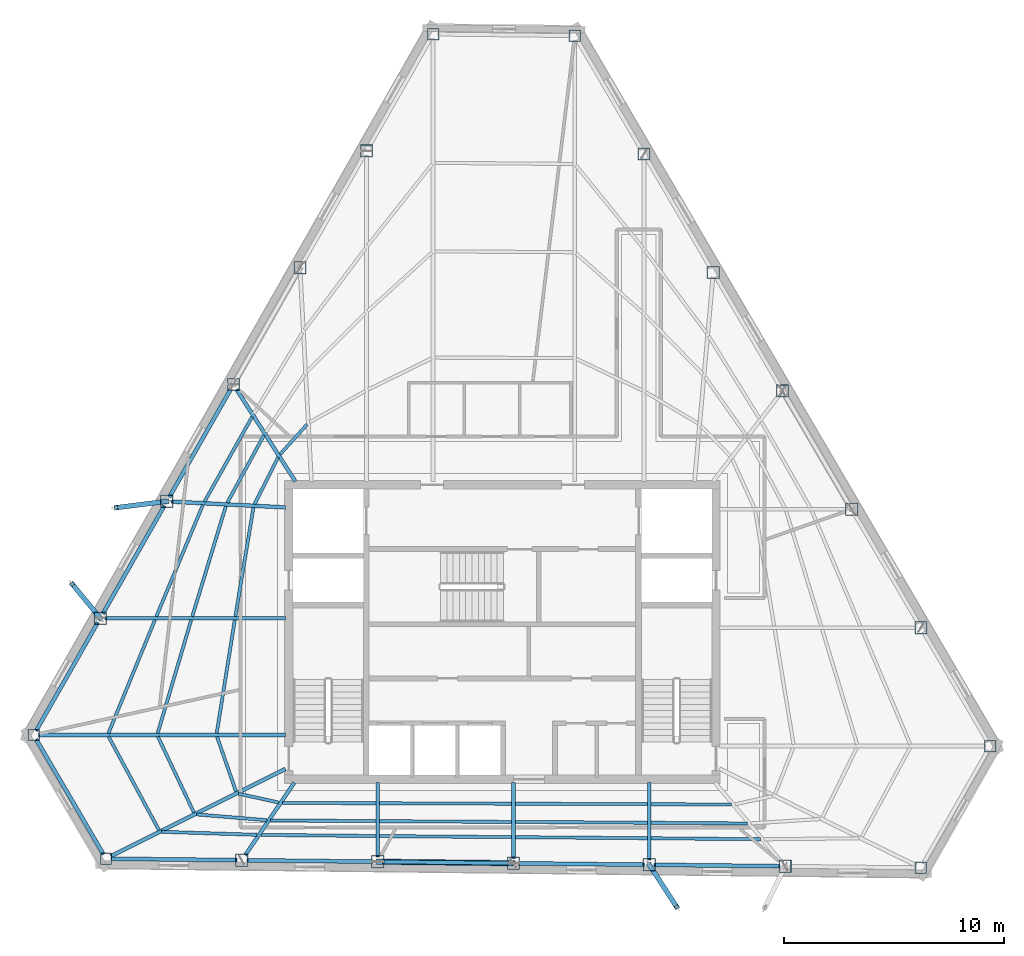
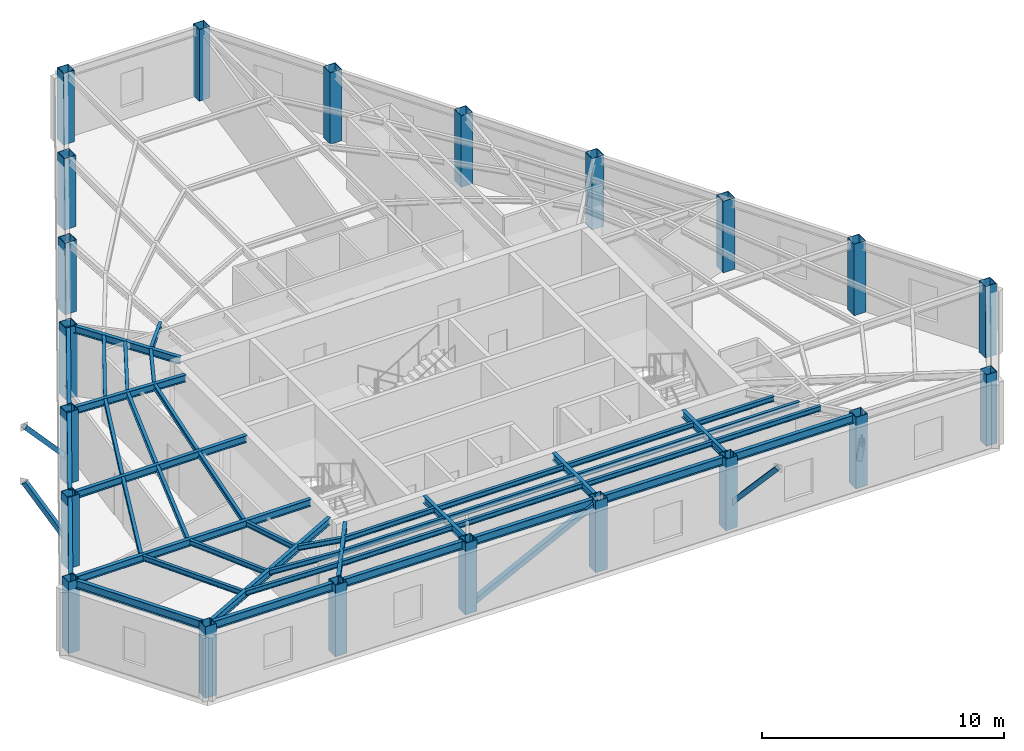
# One storey, part 1 of 11: 46 beams, 21 columns, 4 members.
"""IFC4 building model written with IfcOpenShell, lengths in metres."""

from ifc_helpers import new_model, si_unit, direction, frame, origin, origin_2d, place, context, subcontext, project, spatial, hollow_rectangle, i_section, extrude, material, material_profile, profile_set, type_object, element, save


model = new_model("IFC4")

# Units and contexts
model_context = context("Model", 3, precision=1e-05, world=origin(), true_north=direction((0.0, 1.0)))
body_context = subcontext(model_context, "Body", "Model", "MODEL_VIEW")
ifc_project = project(units=[si_unit("LENGTHUNIT", "METRE"), si_unit("AREAUNIT", "SQUARE_METRE"), si_unit("VOLUMEUNIT", "CUBIC_METRE"), si_unit("PLANEANGLEUNIT", "RADIAN"), si_unit("MASSUNIT", "GRAM", prefix="KILO")], contexts=[model_context])

# Site, building, storey
site_placement = place(None, origin())
site = spatial("IfcSite", under=ifc_project, at=site_placement, CompositionType="ELEMENT")
building_placement = place(site_placement, origin())
building = spatial("IfcBuilding", under=site, at=building_placement, Name="Kavelnor Concourse Tower", CompositionType="ELEMENT")
storey_placement = place(building_placement, frame((0.0, 0.0, 258.75)))
storey = spatial("IfcBuildingStorey", under=building, at=storey_placement, Name="L65", CompositionType="ELEMENT", Elevation=258.75)

# Columns
ifc_material = material(Name="Steel Grade 350", Category="steel")
ifc_material_profile_1 = material_profile(ifc_material, hollow_rectangle(XDim=0.52001953125, YDim=0.52001953125, WallThickness=0.02392578125, at=origin_2d()), Name="SHS 520x520x24")
ifc_profile_set_1 = profile_set([ifc_material_profile_1], Name="Steel Grade 350")
column_type_1 = type_object("IfcColumnType", Name="COL-FOLD-Z4", PredefinedType="COLUMN", material=ifc_profile_set_1)
for number, where, z_axis, x_axis, name in (
    (1, (34.846923828125, 43.2880859375, 0.0), (0.0, 0.0, 1.0), (1.0, 0.0, 0.0), "L65 Perimeter Corner-Fold Column F0-B0"),
    (2, (16.684814453125, 11.416259765625, 0.0), (0.0, 0.0, 1.0), (1.0, 0.0, 0.0), "L65 Perimeter Corner-Fold Column F0-B6"),
    (3, (19.973876953125, 5.791748046875, 0.0), (0.0, 0.0, 1.0), (1.0, 0.0, 0.0), "L65 Perimeter Corner-Fold Column F1-B0"),
    (4, (57.026611328125, 5.376953125, 0.0), (0.0, 0.0, 1.0), (1.0, 0.0, 0.0), "L65 Perimeter Corner-Fold Column F1-B6"),
    (5, (60.179931640625, 10.91064453125, 0.0), (0.0, 0.0, 1.0), (1.0, 0.0, 0.0), "L65 Perimeter Corner-Fold Column F2-B0"),
    (6, (41.288818359375, 43.216064453125, 0.0), (0.0, 0.0, 1.0), (1.0, 0.0, 0.0), "L65 Perimeter Corner-Fold Column F2-B6"),
):
    element("IfcColumn", number, at=place(storey_placement, frame(where, z_axis=z_axis, x_axis=x_axis)), inside=storey, type_object=column_type_1, Name=name, PredefinedType="COLUMN", context=body_context, shape_type="SweptSolid", body=[
        extrude(hollow_rectangle(XDim=0.52001953125, YDim=0.52001953125, WallThickness=0.02392578125, at=origin_2d()), origin(), (0.0, 0.0, 1.0), 3.610107421875),
    ])
ifc_material_profile_2 = material_profile(ifc_material, hollow_rectangle(XDim=0.56005859375, YDim=0.56005859375, WallThickness=0.02490234375, at=origin_2d()), Name="SHS 560x560x25")
ifc_profile_set_2 = profile_set([ifc_material_profile_2], Name="Steel Grade 350")
column_type_2 = type_object("IfcColumnType", Name="COL-TUBE-Z4", PredefinedType="COLUMN", material=ifc_profile_set_2)
for number, where, z_axis, x_axis, name in (
    (7, (31.81982421875, 37.976318359375, 0.0), (0.0, 0.0, 1.0), (1.0, 0.0, 0.0), "L65 Perimeter Framed-Tube Column F0-B1"),
    (8, (28.79296875, 32.664306640625, 0.0), (0.0, 0.0, 1.0), (1.0, 0.0, 0.0), "L65 Perimeter Framed-Tube Column F0-B2"),
    (9, (25.765869140625, 27.352294921875, 0.0), (0.0, 0.0, 1.0), (1.0, 0.0, 0.0), "L65 Perimeter Framed-Tube Column F0-B3"),
    (10, (22.739013671875, 22.040283203125, 0.0), (0.0, 0.0, 1.0), (1.0, 0.0, 0.0), "L65 Perimeter Framed-Tube Column F0-B4"),
    (11, (19.7119140625, 16.728271484375, 0.0), (0.0, 0.0, 1.0), (1.0, 0.0, 0.0), "L65 Perimeter Framed-Tube Column F0-B5"),
    (12, (26.1494140625, 5.72265625, 0.0), (0.0, 0.0, 1.0), (1.0, 0.0, 0.0), "L65 Perimeter Framed-Tube Column F1-B1"),
    (13, (32.32470703125, 5.653564453125, 0.0), (0.0, 0.0, 1.0), (1.0, 0.0, 0.0), "L65 Perimeter Framed-Tube Column F1-B2"),
    (14, (38.500244140625, 5.58447265625, 0.0), (0.0, 0.0, 1.0), (1.0, 0.0, 0.0), "L65 Perimeter Framed-Tube Column F1-B3"),
    (15, (44.67578125, 5.515380859375, 0.0), (0.0, 0.0, 1.0), (1.0, 0.0, 0.0), "L65 Perimeter Framed-Tube Column F1-B4"),
    (16, (50.851318359375, 5.446044921875, 0.0), (0.0, 0.0, 1.0), (1.0, 0.0, 0.0), "L65 Perimeter Framed-Tube Column F1-B5"),
    (17, (57.031494140625, 16.294921875, 0.0), (0.0, 0.0, 1.0), (1.0, 0.0, 0.0), "L65 Perimeter Framed-Tube Column F2-B1"),
    (18, (53.8828125, 21.67919921875, 0.0), (0.0, 0.0, 1.0), (1.0, 0.0, 0.0), "L65 Perimeter Framed-Tube Column F2-B2"),
    (19, (50.734375, 27.063232421875, 0.0), (0.0, 0.0, 1.0), (1.0, 0.0, 0.0), "L65 Perimeter Framed-Tube Column F2-B3"),
    (20, (47.5859375, 32.447509765625, 0.0), (0.0, 0.0, 1.0), (1.0, 0.0, 0.0), "L65 Perimeter Framed-Tube Column F2-B4"),
    (21, (44.437255859375, 37.831787109375, 0.0), (0.0, 0.0, 1.0), (1.0, 0.0, 0.0), "L65 Perimeter Framed-Tube Column F2-B5"),
):
    element("IfcColumn", number, at=place(storey_placement, frame(where, z_axis=z_axis, x_axis=x_axis)), inside=storey, type_object=column_type_2, Name=name, PredefinedType="COLUMN", context=body_context, shape_type="SweptSolid", body=[
        extrude(hollow_rectangle(XDim=0.56005859375, YDim=0.56005859375, WallThickness=0.02490234375, at=origin_2d()), origin(), (0.0, 0.0, 1.0), 3.610107421875),
    ])

# Beams
ifc_material_profile_3 = material_profile(ifc_material, i_section(OverallWidth=0.14599609375, OverallDepth=0.256103515625, WebThickness=0.00634765625, FlangeThickness=0.010986328125, at=origin_2d()), Name="250UB37")
ifc_profile_set_3 = profile_set([ifc_material_profile_3], Name="Steel Grade 350")
beam_type_1 = type_object("IfcBeamType", Name="BM-JOIST-250", PredefinedType="JOIST", material=ifc_profile_set_3)
beam_1_placement = place(storey_placement, frame((25.02099609375, 11.338623046875, 3.48193359375), z_axis=(0.327570712043, -0.944826665908, 0.0), x_axis=(0.944826665908, 0.327570712043, 0.0)))
element("IfcBeam", 22, at=beam_1_placement, inside=storey, type_object=beam_type_1, Name="L65 Secondary Composite Joist 01-1", PredefinedType="JOIST", context=body_context, shape_type="SweptSolid", body=[
    extrude(i_section(OverallWidth=0.14599609375, OverallDepth=0.256103515625, WebThickness=0.00634765625, FlangeThickness=0.010986328125, at=origin_2d()), origin(), (0.0, 0.0, 1.0), 2.64208984375),
])
beam_2_placement = place(storey_placement, frame((22.3330078125, 11.342041015625, 3.48193359375), z_axis=(0.428612922517, -0.903488219431, 0.0), x_axis=(0.903488219431, 0.428612922517, 0.0)))
element("IfcBeam", 23, at=beam_2_placement, inside=storey, type_object=beam_type_1, Name="L65 Secondary Composite Joist 01-2", PredefinedType="JOIST", context=body_context, shape_type="SweptSolid", body=[
    extrude(i_section(OverallWidth=0.14599609375, OverallDepth=0.256103515625, WebThickness=0.00634765625, FlangeThickness=0.010986328125, at=origin_2d()), origin(), (0.0, 0.0, 1.0), 3.825927734375),
])
beam_3_placement = place(storey_placement, frame((20.089599609375, 11.343994140625, 3.48193359375), z_axis=(0.474241384819, -0.880394859665, 0.0), x_axis=(0.880394859665, 0.474241384819, 0.0)))
element("IfcBeam", 24, at=beam_3_placement, inside=storey, type_object=beam_type_1, Name="L65 Secondary Composite Joist 01-3", PredefinedType="JOIST", context=body_context, shape_type="SweptSolid", body=[
    extrude(i_section(OverallWidth=0.14599609375, OverallDepth=0.256103515625, WebThickness=0.00634765625, FlangeThickness=0.010986328125, at=origin_2d()), origin(), (0.0, 0.0, 1.0), 4.83349609375),
])
beam_4_placement = place(storey_placement, frame((25.993408203125, 8.747314453125, 3.48193359375), z_axis=(0.976947404223, -0.213480138144, 0.0), x_axis=(0.213480138144, 0.976947404223, 0.0)))
element("IfcBeam", 25, at=beam_4_placement, inside=storey, type_object=beam_type_1, Name="L65 Secondary Composite Joist 02-1", PredefinedType="JOIST", context=body_context, shape_type="SweptSolid", body=[
    extrude(i_section(OverallWidth=0.14599609375, OverallDepth=0.256103515625, WebThickness=0.00634765625, FlangeThickness=0.010986328125, at=origin_2d()), origin(), (0.0, 0.0, 1.0), 1.88134765625),
])
beam_5_placement = place(storey_placement, frame((24.08984375, 7.804443359375, 3.48193359375), z_axis=(0.996661068571, -0.081649950367, 0.0), x_axis=(0.081649950367, 0.996661068571, 0.0)))
element("IfcBeam", 26, at=beam_5_placement, inside=storey, type_object=beam_type_1, Name="L65 Secondary Composite Joist 02-2", PredefinedType="JOIST", context=body_context, shape_type="SweptSolid", body=[
    extrude(i_section(OverallWidth=0.14599609375, OverallDepth=0.256103515625, WebThickness=0.00634765625, FlangeThickness=0.010986328125, at=origin_2d()), origin(), (0.0, 0.0, 1.0), 3.21435546875),
])
beam_6_placement = place(storey_placement, frame((22.502685546875, 7.013916015625, 3.48193359375), z_axis=(0.999505035576, -0.031459241228, 0.0), x_axis=(0.031459241228, 0.999505035576, 0.0)))
element("IfcBeam", 27, at=beam_6_placement, inside=storey, type_object=beam_type_1, Name="L65 Secondary Composite Joist 02-3", PredefinedType="JOIST", context=body_context, shape_type="SweptSolid", body=[
    extrude(i_section(OverallWidth=0.14599609375, OverallDepth=0.256103515625, WebThickness=0.00634765625, FlangeThickness=0.010986328125, at=origin_2d()), origin(), (0.0, 0.0, 1.0), 4.345947265625),
])
beam_7_placement = place(storey_placement, frame((27.993408203125, 8.327880859375, 3.48193359375), z_axis=(0.999993027409, -0.003734318441, 0.0), x_axis=(0.003734318441, 0.999993027409, 0.0)))
element("IfcBeam", 28, at=beam_7_placement, inside=storey, type_object=beam_type_1, Name="L65 Secondary Composite Joist 03-1", PredefinedType="JOIST", context=body_context, shape_type="SweptSolid", body=[
    extrude(i_section(OverallWidth=0.14599609375, OverallDepth=0.256103515625, WebThickness=0.00634765625, FlangeThickness=0.010986328125, at=origin_2d()), origin(), (0.0, 0.0, 1.0), 4.24951171875),
])
beam_8_placement = place(storey_placement, frame((27.45703125, 7.53466796875, 3.48193359375), z_axis=(0.999973020597, -0.00734561623, 0.0), x_axis=(0.00734561623, 0.999973020597, 0.0)))
element("IfcBeam", 29, at=beam_8_placement, inside=storey, type_object=beam_type_1, Name="L65 Secondary Composite Joist 03-2", PredefinedType="JOIST", context=body_context, shape_type="SweptSolid", body=[
    extrude(i_section(OverallWidth=0.14599609375, OverallDepth=0.256103515625, WebThickness=0.00634765625, FlangeThickness=0.010986328125, at=origin_2d()), origin(), (0.0, 0.0, 1.0), 4.7861328125),
])
beam_9_placement = place(storey_placement, frame((27.01025390625, 6.873779296875, 3.48193359375), z_axis=(0.999952003298, -0.009797504815, 0.0), x_axis=(0.009797504815, 0.999952003298, 0.0)))
element("IfcBeam", 30, at=beam_9_placement, inside=storey, type_object=beam_type_1, Name="L65 Secondary Composite Joist 03-3", PredefinedType="JOIST", context=body_context, shape_type="SweptSolid", body=[
    extrude(i_section(OverallWidth=0.14599609375, OverallDepth=0.256103515625, WebThickness=0.00634765625, FlangeThickness=0.010986328125, at=origin_2d()), origin(), (0.0, 0.0, 1.0), 5.23291015625),
])
for number, where, z_axis, x_axis, name in (
    (31, (32.40673828125, 8.3115234375, 3.48193359375), (0.999995110479, -0.003127142245, 0.0), (0.003127142245, 0.999995110479, 0.0), "L65 Secondary Composite Joist 04-1"),
    (32, (32.40673828125, 7.49853515625, 3.48193359375), (0.999983136444, -0.005807480344, 0.0), (0.005807480344, 0.999983136444, 0.0), "L65 Secondary Composite Joist 04-2"),
):
    element("IfcBeam", number, at=place(storey_placement, frame(where, z_axis=z_axis, x_axis=x_axis)), inside=storey, type_object=beam_type_1, Name=name, PredefinedType="JOIST", context=body_context, shape_type="SweptSolid", body=[
        extrude(i_section(OverallWidth=0.14599609375, OverallDepth=0.256103515625, WebThickness=0.00634765625, FlangeThickness=0.010986328125, at=origin_2d()), origin(), (0.0, 0.0, 1.0), 6.011474609375),
    ])
beam_10_placement = place(storey_placement, frame((32.40673828125, 6.821044921875, 3.48193359375), z_axis=(0.999967670619, -0.008041002265, 0.0), x_axis=(0.008041002265, 0.999967670619, 0.0)))
element("IfcBeam", 33, at=beam_10_placement, inside=storey, type_object=beam_type_1, Name="L65 Secondary Composite Joist 04-3", PredefinedType="JOIST", context=body_context, shape_type="SweptSolid", body=[
    extrude(i_section(OverallWidth=0.14599609375, OverallDepth=0.256103515625, WebThickness=0.00634765625, FlangeThickness=0.010986328125, at=origin_2d()), origin(), (0.0, 0.0, 1.0), 6.01171875),
])
for number, where, z_axis, x_axis, name in (
    (34, (38.582275390625, 8.292236328125, 3.48193359375), (0.999994982654, -0.003167754077, 0.0), (0.003167754077, 0.999994982654, 0.0), "L65 Secondary Composite Joist 05-1"),
    (35, (38.582275390625, 7.462646484375, 3.48193359375), (0.999982899771, -0.005848090711, 0.0), (0.005848090711, 0.999982899771, 0.0), "L65 Secondary Composite Joist 05-2"),
):
    element("IfcBeam", number, at=place(storey_placement, frame(where, z_axis=z_axis, x_axis=x_axis)), inside=storey, type_object=beam_type_1, Name=name, PredefinedType="JOIST", context=body_context, shape_type="SweptSolid", body=[
        extrude(i_section(OverallWidth=0.14599609375, OverallDepth=0.256103515625, WebThickness=0.00634765625, FlangeThickness=0.010986328125, at=origin_2d()), origin(), (0.0, 0.0, 1.0), 6.011474609375),
    ])
beam_11_placement = place(storey_placement, frame((38.582275390625, 6.771240234375, 3.48193359375), z_axis=(0.999967670619, -0.008041002265, 0.0), x_axis=(0.008041002265, 0.999967670619, 0.0)))
element("IfcBeam", 36, at=beam_11_placement, inside=storey, type_object=beam_type_1, Name="L65 Secondary Composite Joist 05-3", PredefinedType="JOIST", context=body_context, shape_type="SweptSolid", body=[
    extrude(i_section(OverallWidth=0.14599609375, OverallDepth=0.256103515625, WebThickness=0.00634765625, FlangeThickness=0.010986328125, at=origin_2d()), origin(), (0.0, 0.0, 1.0), 6.01171875),
])
beam_12_placement = place(storey_placement, frame((44.7578125, 8.272705078125, 3.48193359375), z_axis=(0.999980803596, -0.006196163284, 0.0), x_axis=(0.006196163284, 0.999980803596, 0.0)))
element("IfcBeam", 37, at=beam_12_placement, inside=storey, type_object=beam_type_1, Name="L65 Secondary Composite Joist 06-1", PredefinedType="JOIST", context=body_context, shape_type="SweptSolid", body=[
    extrude(i_section(OverallWidth=0.14599609375, OverallDepth=0.256103515625, WebThickness=0.00634765625, FlangeThickness=0.010986328125, at=origin_2d()), origin(), (0.0, 0.0, 1.0), 3.664306640625),
])
beam_13_placement = place(storey_placement, frame((44.7578125, 7.426513671875, 3.48193359375), z_axis=(0.999969153149, -0.007854473321, 0.0), x_axis=(0.007854473321, 0.999969153149, 0.0)))
element("IfcBeam", 38, at=beam_13_placement, inside=storey, type_object=beam_type_1, Name="L65 Secondary Composite Joist 06-2", PredefinedType="JOIST", context=body_context, shape_type="SweptSolid", body=[
    extrude(i_section(OverallWidth=0.14599609375, OverallDepth=0.256103515625, WebThickness=0.00634765625, FlangeThickness=0.010986328125, at=origin_2d()), origin(), (0.0, 0.0, 1.0), 4.3828125),
])
beam_14_placement = place(storey_placement, frame((44.7578125, 6.721435546875, 3.48193359375), z_axis=(0.999960652834, -0.008870895367, 0.0), x_axis=(0.008870895367, 0.999960652834, 0.0)))
element("IfcBeam", 39, at=beam_14_placement, inside=storey, type_object=beam_type_1, Name="L65 Secondary Composite Joist 06-3", PredefinedType="JOIST", context=body_context, shape_type="SweptSolid", body=[
    extrude(i_section(OverallWidth=0.14599609375, OverallDepth=0.256103515625, WebThickness=0.00634765625, FlangeThickness=0.010986328125, at=origin_2d()), origin(), (0.0, 0.0, 1.0), 4.9814453125),
])
beam_15_placement = place(storey_placement, frame((29.1162109375, 25.540283203125, 3.48193359375), z_axis=(-0.668979444943, -0.743280903995, 0.0), x_axis=(0.743280903995, -0.668979444943, 0.0)))
element("IfcBeam", 40, at=beam_15_placement, inside=storey, type_object=beam_type_1, Name="L65 Secondary Composite Joist 18-1", PredefinedType="JOIST", context=body_context, shape_type="SweptSolid", body=[
    extrude(i_section(OverallWidth=0.14599609375, OverallDepth=0.256103515625, WebThickness=0.00634765625, FlangeThickness=0.010986328125, at=origin_2d()), origin(), (0.0, 0.0, 1.0), 1.83349609375),
])
beam_16_placement = place(storey_placement, frame((27.798095703125, 24.043212890625, 3.48193359375), z_axis=(-0.449217633521, -0.893422362455, 0.0), x_axis=(0.893422362455, -0.449217633521, 0.0)))
element("IfcBeam", 41, at=beam_16_placement, inside=storey, type_object=beam_type_1, Name="L65 Secondary Composite Joist 19-1", PredefinedType="JOIST", context=body_context, shape_type="SweptSolid", body=[
    extrude(i_section(OverallWidth=0.14599609375, OverallDepth=0.256103515625, WebThickness=0.00634765625, FlangeThickness=0.010986328125, at=origin_2d()), origin(), (0.0, 0.0, 1.0), 2.386474609375),
])
beam_17_placement = place(storey_placement, frame((27.154296875, 25.047607421875, 3.48193359375), z_axis=(-0.477193516821, -0.878798240499, 0.0), x_axis=(0.878798240499, -0.477193516821, 0.0)))
element("IfcBeam", 42, at=beam_17_placement, inside=storey, type_object=beam_type_1, Name="L65 Secondary Composite Joist 19-2", PredefinedType="JOIST", context=body_context, shape_type="SweptSolid", body=[
    extrude(i_section(OverallWidth=0.14599609375, OverallDepth=0.256103515625, WebThickness=0.00634765625, FlangeThickness=0.010986328125, at=origin_2d()), origin(), (0.0, 0.0, 1.0), 3.498046875),
])
beam_18_placement = place(storey_placement, frame((26.61865234375, 25.884033203125, 3.48193359375), z_axis=(-0.490067420679, -0.87168453192, 0.0), x_axis=(0.87168453192, -0.490067420679, 0.0)))
element("IfcBeam", 43, at=beam_18_placement, inside=storey, type_object=beam_type_1, Name="L65 Secondary Composite Joist 19-3", PredefinedType="JOIST", context=body_context, shape_type="SweptSolid", body=[
    extrude(i_section(OverallWidth=0.14599609375, OverallDepth=0.256103515625, WebThickness=0.00634765625, FlangeThickness=0.010986328125, at=origin_2d()), origin(), (0.0, 0.0, 1.0), 4.42578125),
])
beam_19_placement = place(storey_placement, frame((26.67578125, 21.7568359375, 3.48193359375), z_axis=(-0.163656923451, -0.986517314296, 0.0), x_axis=(0.986517314296, -0.163656923451, 0.0)))
element("IfcBeam", 44, at=beam_19_placement, inside=storey, type_object=beam_type_1, Name="L65 Secondary Composite Joist 20-1", PredefinedType="JOIST", context=body_context, shape_type="SweptSolid", body=[
    extrude(i_section(OverallWidth=0.14599609375, OverallDepth=0.256103515625, WebThickness=0.00634765625, FlangeThickness=0.010986328125, at=origin_2d()), origin(), (0.0, 0.0, 1.0), 5.015380859375),
])
beam_20_placement = place(storey_placement, frame((25.422119140625, 21.822998046875, 3.48193359375), z_axis=(-0.291100473436, -0.956692486834, 0.0), x_axis=(0.956692486834, -0.291100473436, 0.0)))
element("IfcBeam", 45, at=beam_20_placement, inside=storey, type_object=beam_type_1, Name="L65 Secondary Composite Joist 20-2", PredefinedType="JOIST", context=body_context, shape_type="SweptSolid", body=[
    extrude(i_section(OverallWidth=0.14599609375, OverallDepth=0.256103515625, WebThickness=0.00634765625, FlangeThickness=0.010986328125, at=origin_2d()), origin(), (0.0, 0.0, 1.0), 5.243408203125),
])
beam_21_placement = place(storey_placement, frame((24.378173828125, 21.87890625, 3.48193359375), z_axis=(-0.38490856663, -0.922954709255, 0.0), x_axis=(0.922954709255, -0.38490856663, 0.0)))
element("IfcBeam", 46, at=beam_21_placement, inside=storey, type_object=beam_type_1, Name="L65 Secondary Composite Joist 20-3", PredefinedType="JOIST", context=body_context, shape_type="SweptSolid", body=[
    extrude(i_section(OverallWidth=0.14599609375, OverallDepth=0.256103515625, WebThickness=0.00634765625, FlangeThickness=0.010986328125, at=origin_2d()), origin(), (0.0, 0.0, 1.0), 5.49853515625),
])
beam_22_placement = place(storey_placement, frame((25.828857421875, 16.647216796875, 3.48193359375), z_axis=(-0.157577847174, -0.98750656812, 0.0), x_axis=(0.98750656812, -0.157577847174, 0.0)))
element("IfcBeam", 47, at=beam_22_placement, inside=storey, type_object=beam_type_1, Name="L65 Secondary Composite Joist 21-1", PredefinedType="JOIST", context=body_context, shape_type="SweptSolid", body=[
    extrude(i_section(OverallWidth=0.14599609375, OverallDepth=0.256103515625, WebThickness=0.00634765625, FlangeThickness=0.010986328125, at=origin_2d()), origin(), (0.0, 0.0, 1.0), 5.215087890625),
])
beam_23_placement = place(storey_placement, frame((23.848388671875, 16.649658203125, 3.48193359375), z_axis=(-0.284088329691, -0.958798112708, 0.0), x_axis=(0.958798112708, -0.284088329691, 0.0)))
element("IfcBeam", 48, at=beam_23_placement, inside=storey, type_object=beam_type_1, Name="L65 Secondary Composite Joist 21-2", PredefinedType="JOIST", context=body_context, shape_type="SweptSolid", body=[
    extrude(i_section(OverallWidth=0.14599609375, OverallDepth=0.256103515625, WebThickness=0.00634765625, FlangeThickness=0.010986328125, at=origin_2d()), origin(), (0.0, 0.0, 1.0), 5.376220703125),
])
beam_24_placement = place(storey_placement, frame((22.198974609375, 16.65234375, 3.48193359375), z_axis=(-0.379587097142, -0.925156006133, 0.0), x_axis=(0.925156006133, -0.379587097142, 0.0)))
element("IfcBeam", 49, at=beam_24_placement, inside=storey, type_object=beam_type_1, Name="L65 Secondary Composite Joist 21-3", PredefinedType="JOIST", context=body_context, shape_type="SweptSolid", body=[
    extrude(i_section(OverallWidth=0.14599609375, OverallDepth=0.256103515625, WebThickness=0.00634765625, FlangeThickness=0.010986328125, at=origin_2d()), origin(), (0.0, 0.0, 1.0), 5.57763671875),
])
ifc_material_profile_4 = material_profile(ifc_material, i_section(OverallWidth=0.172119140625, OverallDepth=0.35888671875, WebThickness=0.008056640625, FlangeThickness=0.012939453125, at=origin_2d()), Name="360UB56")
ifc_profile_set_4 = profile_set([ifc_material_profile_4], Name="Steel Grade 350")
beam_type_2 = type_object("IfcBeamType", Name="BM-PRIMARY-360", PredefinedType="BEAM", material=ifc_profile_set_4)
beam_25_placement = place(storey_placement, frame((28.5830078125, 22.9462890625, 3.430419921875), z_axis=(-0.53867659104, 0.842512629143, 0.0), x_axis=(-0.842512629143, -0.53867659104, 0.0)))
element("IfcBeam", 50, at=beam_25_placement, inside=storey, type_object=beam_type_2, Name="L65 Primary Floor Girder F0-B3", PredefinedType="BEAM", context=body_context, shape_type="SweptSolid", body=[
    extrude(i_section(OverallWidth=0.172119140625, OverallDepth=0.35888671875, WebThickness=0.008056640625, FlangeThickness=0.012939453125, at=origin_2d()), origin(), (0.0, 0.0, 1.0), 4.9609375),
])
beam_26_placement = place(storey_placement, frame((28.139892578125, 21.763427734375, 3.430419921875), z_axis=(-0.998690686011, 0.051155778507, 0.0), x_axis=(-0.051155778507, -0.998690686011, 0.0)))
element("IfcBeam", 51, at=beam_26_placement, inside=storey, type_object=beam_type_2, Name="L65 Primary Floor Girder F0-B4", PredefinedType="BEAM", context=body_context, shape_type="SweptSolid", body=[
    extrude(i_section(OverallWidth=0.172119140625, OverallDepth=0.35888671875, WebThickness=0.008056640625, FlangeThickness=0.012939453125, at=origin_2d()), origin(), (0.0, 0.0, 1.0), 5.187744140625),
])
beam_27_placement = place(storey_placement, frame((28.139892578125, 16.728271484375, 3.430419921875), z_axis=(-1.0, 0.0, 0.0), x_axis=(0.0, -1.0, 0.0)))
element("IfcBeam", 52, at=beam_27_placement, inside=storey, type_object=beam_type_2, Name="L65 Primary Floor Girder F0-B5", PredefinedType="BEAM", context=body_context, shape_type="SweptSolid", body=[
    extrude(i_section(OverallWidth=0.172119140625, OverallDepth=0.35888671875, WebThickness=0.008056640625, FlangeThickness=0.012939453125, at=origin_2d()), origin(), (0.0, 0.0, 1.0), 8.2080078125),
])
beam_28_placement = place(storey_placement, frame((28.139892578125, 11.416259765625, 3.430419921875), z_axis=(-1.0, 0.0, 0.0), x_axis=(0.0, -1.0, 0.0)))
element("IfcBeam", 53, at=beam_28_placement, inside=storey, type_object=beam_type_2, Name="L65 Primary Floor Girder F0-B6", PredefinedType="BEAM", context=body_context, shape_type="SweptSolid", body=[
    extrude(i_section(OverallWidth=0.172119140625, OverallDepth=0.35888671875, WebThickness=0.008056640625, FlangeThickness=0.012939453125, at=origin_2d()), origin(), (0.0, 0.0, 1.0), 11.235107421875),
])
beam_29_placement = place(storey_placement, frame((28.1357421875, 9.877197265625, 3.430419921875), z_axis=(-0.894234580756, -0.447598608779, 0.0), x_axis=(0.447598608779, -0.894234580756, 0.0)))
element("IfcBeam", 54, at=beam_29_placement, inside=storey, type_object=beam_type_2, Name="L65 Primary Floor Girder F1-B0", PredefinedType="BEAM", context=body_context, shape_type="SweptSolid", body=[
    extrude(i_section(OverallWidth=0.172119140625, OverallDepth=0.35888671875, WebThickness=0.008056640625, FlangeThickness=0.012939453125, at=origin_2d()), origin(), (0.0, 0.0, 1.0), 8.87646484375),
])
beam_30_placement = place(storey_placement, frame((28.536865234375, 9.253173828125, 3.430419921875), z_axis=(-0.560211777306, -0.828349421782, 0.0), x_axis=(0.828349421782, -0.560211777306, 0.0)))
element("IfcBeam", 55, at=beam_30_placement, inside=storey, type_object=beam_type_2, Name="L65 Primary Floor Girder F1-B1", PredefinedType="BEAM", context=body_context, shape_type="SweptSolid", body=[
    extrude(i_section(OverallWidth=0.172119140625, OverallDepth=0.35888671875, WebThickness=0.008056640625, FlangeThickness=0.012939453125, at=origin_2d()), origin(), (0.0, 0.0, 1.0), 3.988037109375),
])
beam_31_placement = place(storey_placement, frame((32.32470703125, 9.260009765625, 3.430419921875), z_axis=(0.0, -1.0, 0.0), x_axis=(1.0, 0.0, 0.0)))
element("IfcBeam", 56, at=beam_31_placement, inside=storey, type_object=beam_type_2, Name="L65 Primary Floor Girder F1-B2", PredefinedType="BEAM", context=body_context, shape_type="SweptSolid", body=[
    extrude(i_section(OverallWidth=0.172119140625, OverallDepth=0.35888671875, WebThickness=0.008056640625, FlangeThickness=0.012939453125, at=origin_2d()), origin(), (0.0, 0.0, 1.0), 3.386474609375),
])
beam_32_placement = place(storey_placement, frame((38.500244140625, 9.260009765625, 3.430419921875), z_axis=(0.0, -1.0, 0.0), x_axis=(1.0, 0.0, 0.0)))
element("IfcBeam", 57, at=beam_32_placement, inside=storey, type_object=beam_type_2, Name="L65 Primary Floor Girder F1-B3", PredefinedType="BEAM", context=body_context, shape_type="SweptSolid", body=[
    extrude(i_section(OverallWidth=0.172119140625, OverallDepth=0.35888671875, WebThickness=0.008056640625, FlangeThickness=0.012939453125, at=origin_2d()), origin(), (0.0, 0.0, 1.0), 3.45556640625),
])
beam_33_placement = place(storey_placement, frame((44.67578125, 9.260009765625, 3.430419921875), z_axis=(0.0, -1.0, 0.0), x_axis=(1.0, 0.0, 0.0)))
element("IfcBeam", 58, at=beam_33_placement, inside=storey, type_object=beam_type_2, Name="L65 Primary Floor Girder F1-B4", PredefinedType="BEAM", context=body_context, shape_type="SweptSolid", body=[
    extrude(i_section(OverallWidth=0.172119140625, OverallDepth=0.35888671875, WebThickness=0.008056640625, FlangeThickness=0.012939453125, at=origin_2d()), origin(), (0.0, 0.0, 1.0), 3.524658203125),
])
ifc_material_profile_5 = material_profile(ifc_material, i_section(OverallWidth=0.177978515625, OverallDepth=0.406005859375, WebThickness=0.0078125, FlangeThickness=0.0126953125, at=origin_2d()), Name="410UB59")
ifc_profile_set_5 = profile_set([ifc_material_profile_5], Name="Steel Grade 350")
beam_type_3 = type_object("IfcBeamType", Name="BM-SPANDREL-Z4", PredefinedType="SPANDREL", material=ifc_profile_set_5)
for number, where, z_axis, x_axis, name in (
    (59, (25.654541015625, 27.15673828125, 3.406982421875), (-0.495089497601, -0.868841981816, 0.0), (0.868841981816, -0.495089497601, 0.0), "L65 Perimeter Tube Spandrel Beam F0-B3"),
    (60, (22.62744140625, 21.8447265625, 3.406982421875), (-0.495089497601, -0.868841981816, 0.0), (0.868841981816, -0.495089497601, 0.0), "L65 Perimeter Tube Spandrel Beam F0-B4"),
):
    element("IfcBeam", number, at=place(storey_placement, frame(where, z_axis=z_axis, x_axis=x_axis)), inside=storey, type_object=beam_type_3, Name=name, PredefinedType="SPANDREL", context=body_context, shape_type="SweptSolid", body=[
        extrude(i_section(OverallWidth=0.177978515625, OverallDepth=0.406005859375, WebThickness=0.0078125, FlangeThickness=0.0126953125, at=origin_2d()), origin(), (0.0, 0.0, 1.0), 5.6640625),
    ])
beam_34_placement = place(storey_placement, frame((19.6005859375, 16.53271484375, 3.406982421875), z_axis=(-0.49510803945, -0.86883141591, 0.0), x_axis=(0.86883141591, -0.49510803945, 0.0)))
element("IfcBeam", 61, at=beam_34_placement, inside=storey, type_object=beam_type_3, Name="L65 Perimeter Tube Spandrel Beam F0-B5", PredefinedType="SPANDREL", context=body_context, shape_type="SweptSolid", body=[
    extrude(i_section(OverallWidth=0.177978515625, OverallDepth=0.406005859375, WebThickness=0.0078125, FlangeThickness=0.0126953125, at=origin_2d()), origin(), (0.0, 0.0, 1.0), 5.663818359375),
])
for number, where, z_axis, x_axis, name in (
    (62, (20.198974609375, 5.789306640625, 3.406982421875), (0.999937119237, -0.011214168366, 0.0), (0.011214168366, 0.999937119237, 0.0), "L65 Perimeter Tube Spandrel Beam F1-B0"),
    (63, (26.37451171875, 5.72021484375, 3.406982421875), (0.999937119237, -0.011214168366, 0.0), (0.011214168366, 0.999937119237, 0.0), "L65 Perimeter Tube Spandrel Beam F1-B1"),
):
    element("IfcBeam", number, at=place(storey_placement, frame(where, z_axis=z_axis, x_axis=x_axis)), inside=storey, type_object=beam_type_3, Name=name, PredefinedType="SPANDREL", context=body_context, shape_type="SweptSolid", body=[
        extrude(i_section(OverallWidth=0.177978515625, OverallDepth=0.406005859375, WebThickness=0.0078125, FlangeThickness=0.0126953125, at=origin_2d()), origin(), (0.0, 0.0, 1.0), 5.7255859375),
    ])
beam_35_placement = place(storey_placement, frame((32.5498046875, 5.65087890625, 3.406982421875), z_axis=(0.999937601785, -0.011171057977, 0.0), x_axis=(0.011171057977, 0.999937601785, 0.0)))
element("IfcBeam", 64, at=beam_35_placement, inside=storey, type_object=beam_type_3, Name="L65 Perimeter Tube Spandrel Beam F1-B2", PredefinedType="SPANDREL", context=body_context, shape_type="SweptSolid", body=[
    extrude(i_section(OverallWidth=0.177978515625, OverallDepth=0.406005859375, WebThickness=0.0078125, FlangeThickness=0.0126953125, at=origin_2d()), origin(), (0.0, 0.0, 1.0), 5.725830078125),
])
for number, where, z_axis, x_axis, name in (
    (65, (38.725341796875, 5.581787109375, 3.406982421875), (0.999937596464, -0.011171534275, 0.0), (0.011171534275, 0.999937596464, 0.0), "L65 Perimeter Tube Spandrel Beam F1-B3"),
    (66, (44.90087890625, 5.5126953125, 3.406982421875), (0.999937119237, -0.011214168366, 0.0), (0.011214168366, 0.999937119237, 0.0), "L65 Perimeter Tube Spandrel Beam F1-B4"),
):
    element("IfcBeam", number, at=place(storey_placement, frame(where, z_axis=z_axis, x_axis=x_axis)), inside=storey, type_object=beam_type_3, Name=name, PredefinedType="SPANDREL", context=body_context, shape_type="SweptSolid", body=[
        extrude(i_section(OverallWidth=0.177978515625, OverallDepth=0.406005859375, WebThickness=0.0078125, FlangeThickness=0.0126953125, at=origin_2d()), origin(), (0.0, 0.0, 1.0), 5.7255859375),
    ])
beam_36_placement = place(storey_placement, frame((16.798583984375, 11.221923828125, 3.406982421875), z_axis=(0.504796733946, -0.863238239073, 0.0), x_axis=(0.863238239073, 0.504796733946, 0.0)))
element("IfcBeam", 67, at=beam_36_placement, inside=storey, type_object=beam_type_3, Name="L65 Chamfer Facet Spandrel Beam C1", PredefinedType="SPANDREL", context=body_context, shape_type="SweptSolid", body=[
    extrude(i_section(OverallWidth=0.177978515625, OverallDepth=0.406005859375, WebThickness=0.0078125, FlangeThickness=0.0126953125, at=origin_2d()), origin(), (0.0, 0.0, 1.0), 6.0654296875),
])

# Members
ifc_material_profile_6 = material_profile(ifc_material, hollow_rectangle(XDim=0.219970703125, YDim=0.219970703125, WallThickness=0.013916015625, at=origin_2d()), Name="SHS 220x220x14")
ifc_profile_set_6 = profile_set([ifc_material_profile_6], Name="Steel Grade 350")
member_type_1 = type_object("IfcMemberType", Name="MBR-BALC-STRUT-220", PredefinedType="STRUT", material=ifc_profile_set_6)
member_1_placement = place(storey_placement, frame((22.739013671875, 22.040283203125, 1.050048828125), z_axis=(-0.660977064208, -0.082692033308, 0.74583600625), x_axis=(0.12413805449, -0.992264956263, 0.0)))
element("IfcMember", 68, at=member_1_placement, inside=storey, type_object=member_type_1, Name="L65 Tree Balcony Raking Knee Strut 1-A", PredefinedType="STRUT", context=body_context, shape_type="SweptSolid", body=[
    extrude(hollow_rectangle(XDim=0.219970703125, YDim=0.219970703125, WallThickness=0.013916015625, at=origin_2d()), origin(), (0.0, 0.0, 1.0), 3.49267578125),
])
member_2_placement = place(storey_placement, frame((19.7119140625, 16.728271484375, 1.050048828125), z_axis=(-0.387665885802, 0.472734332523, 0.791351636025), x_axis=(-0.773248756114, -0.634102800158, 0.0)))
element("IfcMember", 69, at=member_2_placement, inside=storey, type_object=member_type_1, Name="L65 Tree Balcony Raking Knee Strut 1-B", PredefinedType="STRUT", context=body_context, shape_type="SweptSolid", body=[
    extrude(hollow_rectangle(XDim=0.219970703125, YDim=0.219970703125, WallThickness=0.013916015625, at=origin_2d()), origin(), (0.0, 0.0, 1.0), 3.291748046875),
])
member_3_placement = place(storey_placement, frame((44.67578125, 5.515380859375, 1.050048828125), z_axis=(0.360723158767, -0.554439648549, 0.749983652386), x_axis=(0.838210468488, 0.54534687174, 0.0)))
element("IfcMember", 70, at=member_3_placement, inside=storey, type_object=member_type_1, Name="L65 Tree Balcony Raking Knee Strut 2-A", PredefinedType="STRUT", context=body_context, shape_type="SweptSolid", body=[
    extrude(hollow_rectangle(XDim=0.219970703125, YDim=0.219970703125, WallThickness=0.013916015625, at=origin_2d()), origin(), (0.0, 0.0, 1.0), 3.473388671875),
])
ifc_material_profile_7 = material_profile(ifc_material, hollow_rectangle(XDim=0.25, YDim=0.25, WallThickness=0.01611328125, at=origin_2d()), Name="SHS 250x250x16")
ifc_profile_set_7 = profile_set([ifc_material_profile_7], Name="Steel Grade 350")
member_type_2 = type_object("IfcMemberType", Name="MBR-TUBE-DIAG-Z4", PredefinedType="BRACE", material=ifc_profile_set_7)
member_4_placement = place(storey_placement, frame((32.32470703125, 5.653564453125, 0.219970703125), z_axis=(0.888597986318, -0.009941618111, 0.458579091259), x_axis=(0.011187281675, 0.999937420406, 0.0)))
element("IfcMember", 71, at=member_4_placement, inside=storey, type_object=member_type_2, Name="L65 Framed-Tube Bracing Diagonal F1-B2", PredefinedType="BRACE", context=body_context, shape_type="SweptSolid", body=[
    extrude(hollow_rectangle(XDim=0.25, YDim=0.25, WallThickness=0.01611328125, at=origin_2d()), origin(), (0.0, 0.0, 1.0), 6.94970703125),
])

save(model, "model.ifc")
